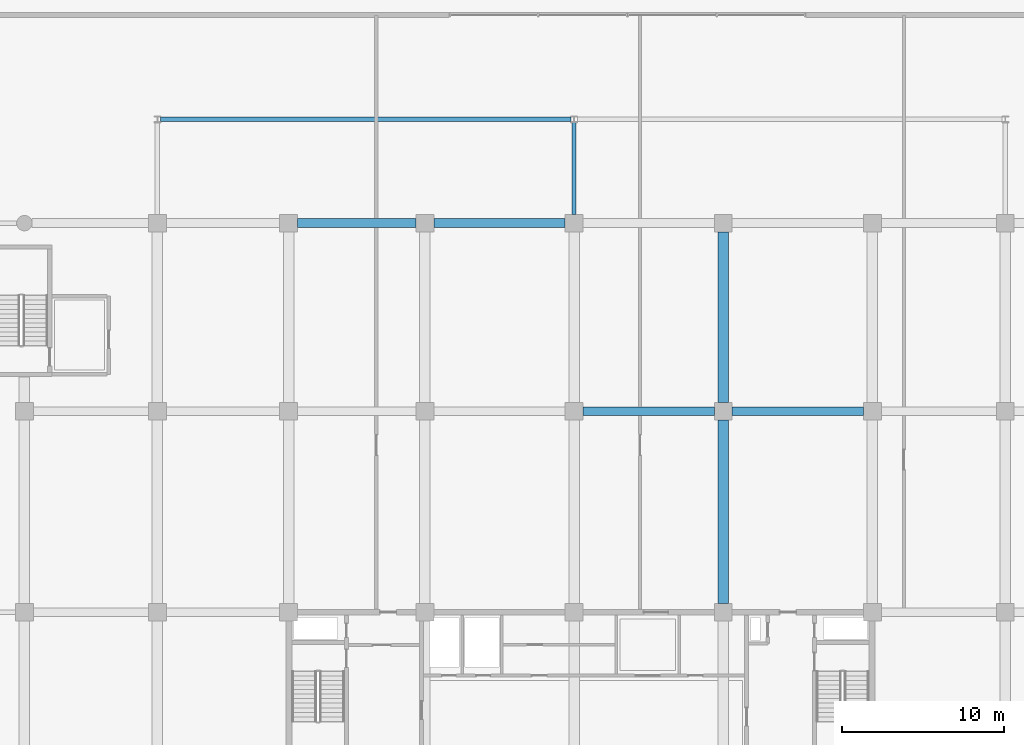
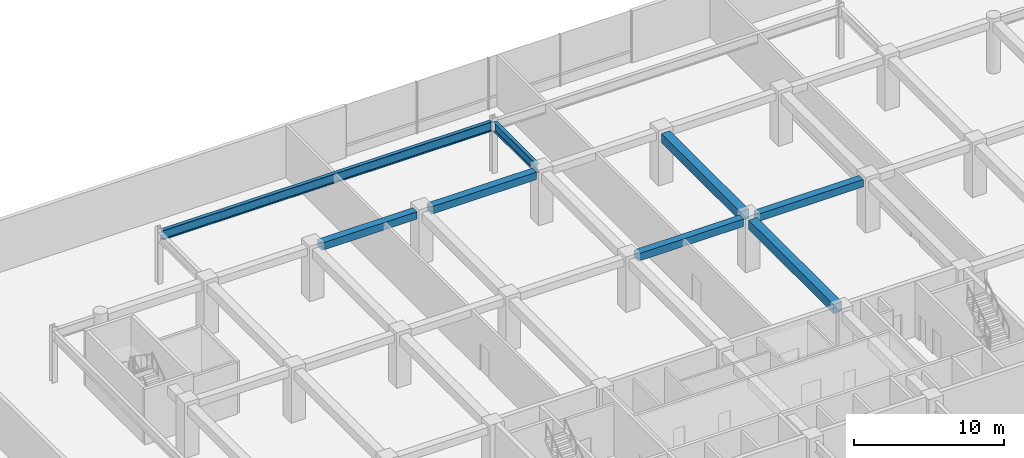
# One storey, part 11 of 43: 8 beams.
"""IFC4 building model written with IfcOpenShell, lengths in metres."""

from ifc_helpers import new_model, si_unit, direction, frame, origin, origin_2d, place, context, subcontext, project, spatial, rectangle, i_section, extrude, material, material_profile, profile_set, type_object, element, save


model = new_model("IFC4")

# Units and contexts
model_context = context("Model", 3, precision=1e-05, world=origin(), true_north=direction((0.0, 1.0)))
body_context = subcontext(model_context, "Body", "Model", "MODEL_VIEW")
ifc_project = project(units=[si_unit("LENGTHUNIT", "METRE"), si_unit("AREAUNIT", "SQUARE_METRE"), si_unit("VOLUMEUNIT", "CUBIC_METRE"), si_unit("PLANEANGLEUNIT", "RADIAN"), si_unit("MASSUNIT", "GRAM", prefix="KILO")], contexts=[model_context])

# Site, building, storey
site_placement = place(None, origin())
site = spatial("IfcSite", under=ifc_project, at=site_placement, CompositionType="ELEMENT")
building_placement = place(site_placement, origin())
building = spatial("IfcBuilding", under=site, at=building_placement, Name="Korimba Cascade Residences", CompositionType="ELEMENT")
storey_placement = place(building_placement, frame((0.0, 0.0, 10.0)))
storey = spatial("IfcBuildingStorey", under=building, at=storey_placement, Name="L02", CompositionType="ELEMENT", Elevation=10.0)

# Beams
ifc_material_1 = material(Name="Concrete C50/60", Category="concrete")
ifc_material_profile_1 = material_profile(ifc_material_1, rectangle(XDim=0.550048828125, YDim=0.60009765625, at=origin_2d()), Name="Concrete C50/60")
ifc_profile_set_1 = profile_set([ifc_material_profile_1], Name="Concrete C50/60")
beam_type_1 = type_object("IfcBeamType", Name="BM-RC-B600", PredefinedType="BEAM", material=ifc_profile_set_1)
for number, where, z_axis, x_axis, name in (
    (1, (94.25, 79.60009765625, 3.89990234375), (1.0, 0.0, 0.0), (0.0, 1.0, 0.0), "L02 T1 E-W Girder Y3 Bay 5"),
    (2, (103.449951171875, 79.60009765625, 3.89990234375), (1.0, 0.0, 0.0), (0.0, 1.0, 0.0), "L02 T1 E-W Girder Y3 Bay 6"),
):
    element("IfcBeam", number, at=place(storey_placement, frame(where, z_axis=z_axis, x_axis=x_axis)), inside=storey, type_object=beam_type_1, Name=name, PredefinedType="BEAM", context=body_context, shape_type="SweptSolid", body=[
        extrude(rectangle(XDim=0.550048828125, YDim=0.60009765625, at=origin_2d()), origin(), (0.0, 0.0, 1.0), 8.10009765625),
    ])
beam_1_placement = place(storey_placement, frame((76.64990234375, 91.199951171875, 3.89990234375), z_axis=(1.0, 0.0, 0.0), x_axis=(0.0, 1.0, 0.0)))
element("IfcBeam", 3, at=beam_1_placement, inside=storey, type_object=beam_type_1, Name="L02 T1 E-W Girder Y4 Bay 3", PredefinedType="BEAM", context=body_context, shape_type="SweptSolid", body=[
    extrude(rectangle(XDim=0.550048828125, YDim=0.60009765625, at=origin_2d()), origin(), (0.0, 0.0, 1.0), 7.300048828125),
])
beam_2_placement = place(storey_placement, frame((85.050048828125, 91.199951171875, 3.89990234375), z_axis=(1.0, 0.0, 0.0), x_axis=(0.0, 1.0, 0.0)))
element("IfcBeam", 4, at=beam_2_placement, inside=storey, type_object=beam_type_1, Name="L02 T1 E-W Girder Y4 Bay 4", PredefinedType="BEAM", context=body_context, shape_type="SweptSolid", body=[
    extrude(rectangle(XDim=0.550048828125, YDim=0.60009765625, at=origin_2d()), origin(), (0.0, 0.0, 1.0), 8.099853515625),
])
ifc_material_profile_2 = material_profile(ifc_material_1, rectangle(XDim=0.64990234375, YDim=0.75, at=origin_2d()), Name="Concrete C50/60")
ifc_profile_set_2 = profile_set([ifc_material_profile_2], Name="Concrete C50/60")
beam_type_2 = type_object("IfcBeamType", Name="BM-RC-G750", PredefinedType="BEAM", material=ifc_profile_set_2)
beam_3_placement = place(storey_placement, frame((102.89990234375, 67.75, 3.824951171875), z_axis=(0.0, 1.0, 0.0), x_axis=(-1.0, 0.0, 0.0)))
element("IfcBeam", 5, at=beam_3_placement, inside=storey, type_object=beam_type_2, Name="L02 T1 N-S Girder X6 Seg 2", PredefinedType="BEAM", context=body_context, shape_type="SweptSolid", body=[
    extrude(rectangle(XDim=0.64990234375, YDim=0.75, at=origin_2d()), origin(), (0.0, 0.0, 1.0), 11.300048828125),
])
beam_4_placement = place(storey_placement, frame((102.89990234375, 80.14990234375, 3.824951171875), z_axis=(0.0, 1.0, 0.0), x_axis=(-1.0, 0.0, 0.0)))
element("IfcBeam", 6, at=beam_4_placement, inside=storey, type_object=beam_type_2, Name="L02 T1 N-S Girder X6 Seg 3", PredefinedType="BEAM", context=body_context, shape_type="SweptSolid", body=[
    extrude(rectangle(XDim=0.64990234375, YDim=0.75, at=origin_2d()), origin(), (0.0, 0.0, 1.0), 10.5),
])
ifc_material_2 = material(Name="Steel S355", Category="steel")
ifc_material_profile_3 = material_profile(ifc_material_2, i_section(OverallWidth=0.26806640625, OverallDepth=0.769775390625, WebThickness=0.015625, FlangeThickness=0.025390625, FilletRadius=0.0166015625, at=origin_2d()), Name="Steel S355")
ifc_profile_set_3 = profile_set([ifc_material_profile_3], Name="Steel S355")
beam_type_3 = type_object("IfcBeamType", Name="BM-STL-UB762", PredefinedType="BEAM", material=ifc_profile_set_3)
beam_5_placement = place(storey_placement, frame((93.699951171875, 91.75, 3.815185546875), z_axis=(0.0, 1.0, 0.0), x_axis=(-1.0, 0.0, 0.0)))
element("IfcBeam", 7, at=beam_5_placement, inside=storey, type_object=beam_type_3, Name="L02 Podium Frame Girder N2", PredefinedType="BEAM", context=body_context, shape_type="SweptSolid", body=[
    extrude(i_section(OverallWidth=0.26806640625, OverallDepth=0.769775390625, WebThickness=0.015625, FlangeThickness=0.025390625, FilletRadius=0.0166015625, at=origin_2d()), origin(), (0.0, 0.0, 1.0), 5.6533203125),
])
beam_6_placement = place(storey_placement, frame((68.199462890625, 97.60009765625, 3.815185546875), z_axis=(1.0, 0.0, 0.0), x_axis=(0.0, 1.0, 0.0)))
element("IfcBeam", 8, at=beam_6_placement, inside=storey, type_object=beam_type_3, Name="L02 Podium Frame Girder NH1", PredefinedType="BEAM", context=body_context, shape_type="SweptSolid", body=[
    extrude(i_section(OverallWidth=0.26806640625, OverallDepth=0.769775390625, WebThickness=0.015625, FlangeThickness=0.025390625, FilletRadius=0.0166015625, at=origin_2d()), origin(), (0.0, 0.0, 1.0), 25.301025390625),
])

save(model, "model.ifc")
